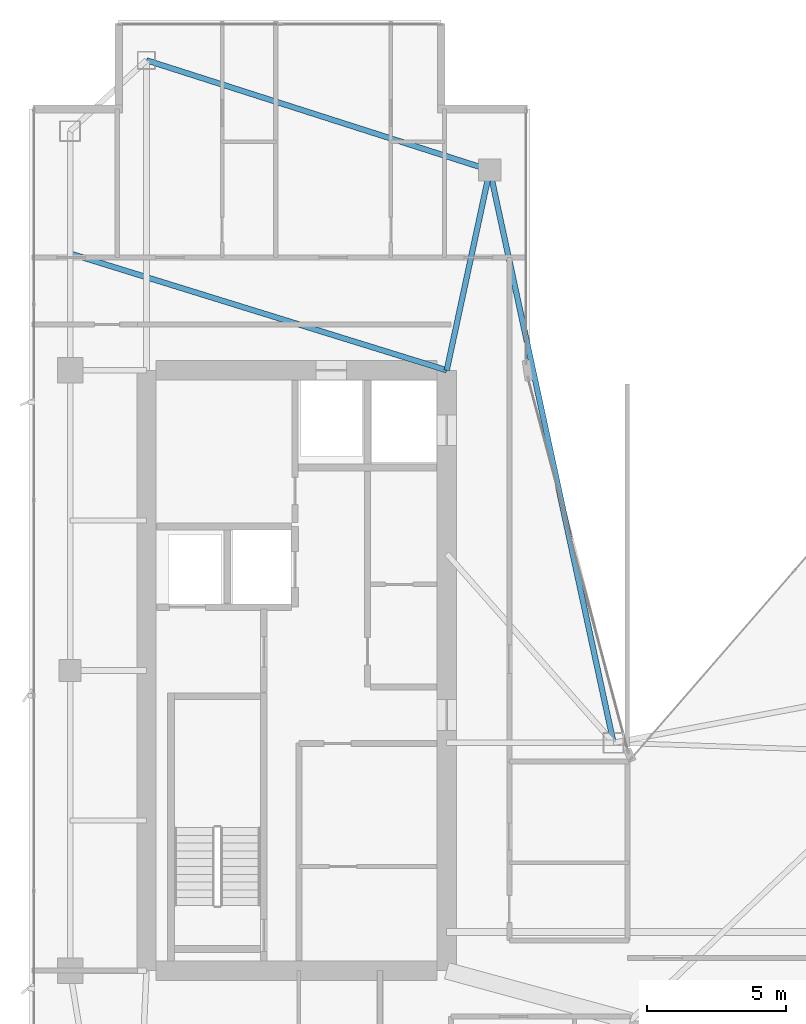
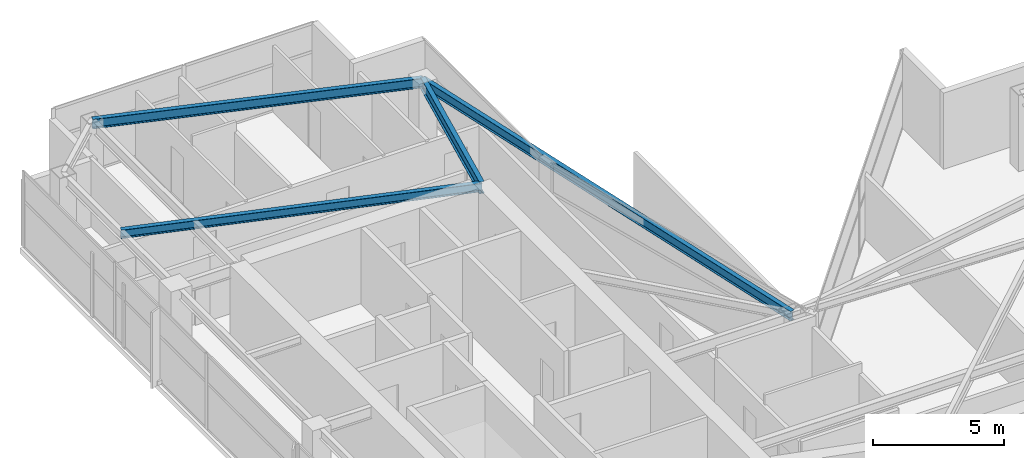
# One storey, part 18 of 29: 4 beams.
"""IFC4 building model written with IfcOpenShell, lengths in metres."""

from ifc_helpers import new_model, si_unit, direction, frame, origin, origin_2d, place, context, subcontext, project, spatial, i_section, extrude, material, material_profile, profile_set, type_object, element, save


model = new_model("IFC4")

# Units and contexts
model_context = context("Model", 3, precision=1e-05, world=origin(), true_north=direction((0.0, 1.0)))
body_context = subcontext(model_context, "Body", "Model", "MODEL_VIEW")
ifc_project = project(units=[si_unit("LENGTHUNIT", "METRE"), si_unit("AREAUNIT", "SQUARE_METRE"), si_unit("VOLUMEUNIT", "CUBIC_METRE"), si_unit("PLANEANGLEUNIT", "RADIAN"), si_unit("MASSUNIT", "GRAM", prefix="KILO")], contexts=[model_context])

# Site, building, storey
site_placement = place(None, origin())
site = spatial("IfcSite", under=ifc_project, at=site_placement, CompositionType="ELEMENT")
building_placement = place(site_placement, origin())
building = spatial("IfcBuilding", under=site, at=building_placement, Name="Calvorn Quay Hotel", CompositionType="ELEMENT")
storey_placement = place(building_placement, frame((0.0, 0.0, 247.60009765625)))
storey = spatial("IfcBuildingStorey", under=building, at=storey_placement, Name="L61", CompositionType="ELEMENT", Elevation=247.60009765625)

# Beams
ifc_material_1 = material(Name="Steel Q355B", Category="steel")
ifc_material_profile_1 = material_profile(ifc_material_1, i_section(OverallWidth=0.199951171875, OverallDepth=0.550048828125, WebThickness=0.010009765625, FlangeThickness=0.01611328125, FilletRadius=0.01806640625, at=origin_2d()), Name="HN550x200x10x16")
ifc_profile_set_1 = profile_set([ifc_material_profile_1], Name="Steel Q355B")
beam_type_1 = type_object("IfcBeamType", Name="BM-GIRD-UPP", PredefinedType="BEAM", material=ifc_profile_set_1)
beam_1_placement = place(storey_placement, frame((16.550048828125, 45.60009765625, 3.264892578125), z_axis=(-0.210457140491, -0.97760308511, 0.0), x_axis=(0.97760308511, -0.210457140491, 0.0)))
element("IfcBeam", 1, at=beam_1_placement, inside=storey, type_object=beam_type_1, Name="Beam BG-L61-W6", PredefinedType="BEAM", context=body_context, shape_type="SweptSolid", body=[
    extrude(i_section(OverallWidth=0.199951171875, OverallDepth=0.550048828125, WebThickness=0.010009765625, FlangeThickness=0.01611328125, FilletRadius=0.01806640625, at=origin_2d()), origin(), (0.0, 0.0, 1.0), 7.365234375),
])
ifc_material_2 = material(Name="Steel Q355B", Category="steel")
ifc_material_profile_2 = material_profile(ifc_material_2, i_section(OverallWidth=0.199951171875, OverallDepth=0.39990234375, WebThickness=0.008056640625, FlangeThickness=0.012939453125, FilletRadius=0.01611328125, at=origin_2d()), Name="HN400x200x8x13")
ifc_profile_set_2 = profile_set([ifc_material_profile_2], Name="Steel Q355B")
beam_type_2 = type_object("IfcBeamType", Name="BM-JOIST-TYP", PredefinedType="JOIST", material=ifc_profile_set_2)
beam_2_placement = place(storey_placement, frame((1.449951171875, 42.60009765625, 3.33984375), z_axis=(0.955163702122, -0.296078202759, 0.0), x_axis=(0.296078202759, 0.955163702122, 0.0)))
element("IfcBeam", 2, at=beam_2_placement, inside=storey, type_object=beam_type_2, Name="Beam BJ-L61-W2", PredefinedType="JOIST", context=body_context, shape_type="SweptSolid", body=[
    extrude(i_section(OverallWidth=0.199951171875, OverallDepth=0.39990234375, WebThickness=0.008056640625, FlangeThickness=0.012939453125, FilletRadius=0.01611328125, at=origin_2d()), origin(), (0.0, 0.0, 1.0), 14.18603515625),
])
ifc_material_3 = material(Name="Steel Q355B", Category="steel")
ifc_material_profile_3 = material_profile(ifc_material_3, i_section(OverallWidth=0.199951171875, OverallDepth=0.449951171875, WebThickness=0.009033203125, FlangeThickness=0.013916015625, FilletRadius=0.01611328125, at=origin_2d()), Name="HN450x200x9x14")
ifc_profile_set_3 = profile_set([ifc_material_profile_3], Name="Steel Q355B")
beam_type_3 = type_object("IfcBeamType", Name="BM-SPANDREL-Z3", PredefinedType="SPANDREL", material=ifc_profile_set_3)
beam_3_placement = place(storey_placement, frame((4.199951171875, 49.550048828125, 3.31494140625), z_axis=(0.952470702374, -0.304630203885, 0.0), x_axis=(0.304630203885, 0.952470702374, 0.0)))
element("IfcBeam", 3, at=beam_3_placement, inside=storey, type_object=beam_type_3, Name="Beam BSP-L61-W6", PredefinedType="SPANDREL", context=body_context, shape_type="SweptSolid", body=[
    extrude(i_section(OverallWidth=0.199951171875, OverallDepth=0.449951171875, WebThickness=0.009033203125, FlangeThickness=0.013916015625, FilletRadius=0.01611328125, at=origin_2d()), origin(), (0.0, 0.0, 1.0), 12.96630859375),
])
beam_4_placement = place(storey_placement, frame((16.550048828125, 45.60009765625, 3.31494140625), z_axis=(0.211145848376, -0.977454567084, 0.0), x_axis=(0.977454567084, 0.211145848376, 0.0)))
element("IfcBeam", 4, at=beam_4_placement, inside=storey, type_object=beam_type_3, Name="Beam BSP-L61-W7", PredefinedType="SPANDREL", context=body_context, shape_type="SweptSolid", body=[
    extrude(i_section(OverallWidth=0.199951171875, OverallDepth=0.449951171875, WebThickness=0.009033203125, FlangeThickness=0.013916015625, FilletRadius=0.01611328125, at=origin_2d()), origin(), (0.0, 0.0, 1.0), 21.0751953125),
])

save(model, "model.ifc")
